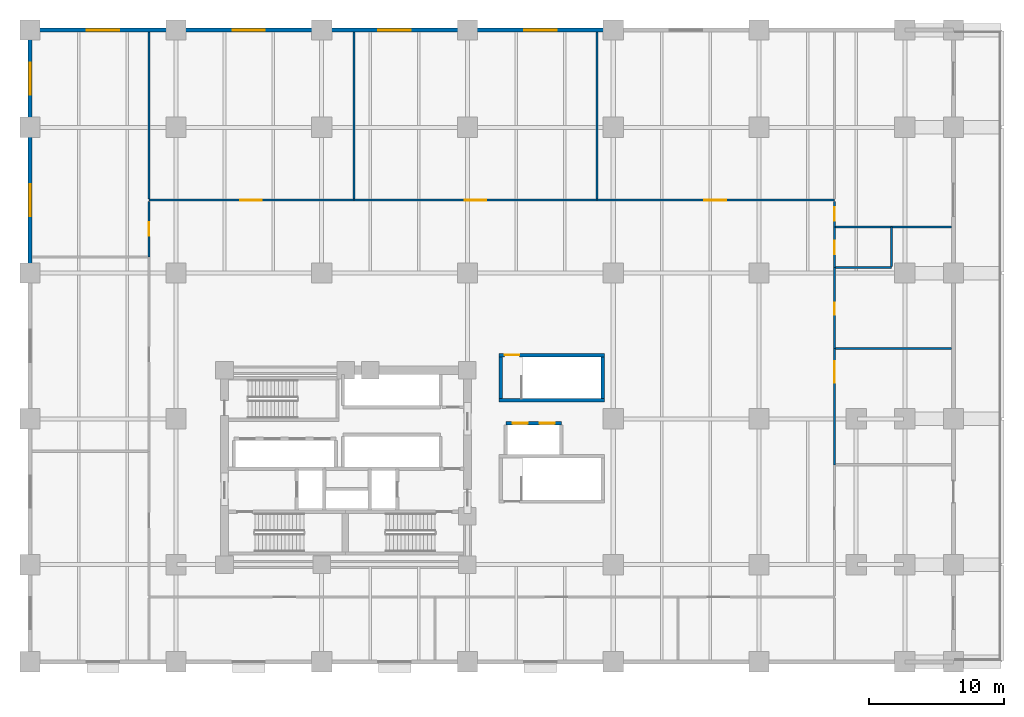
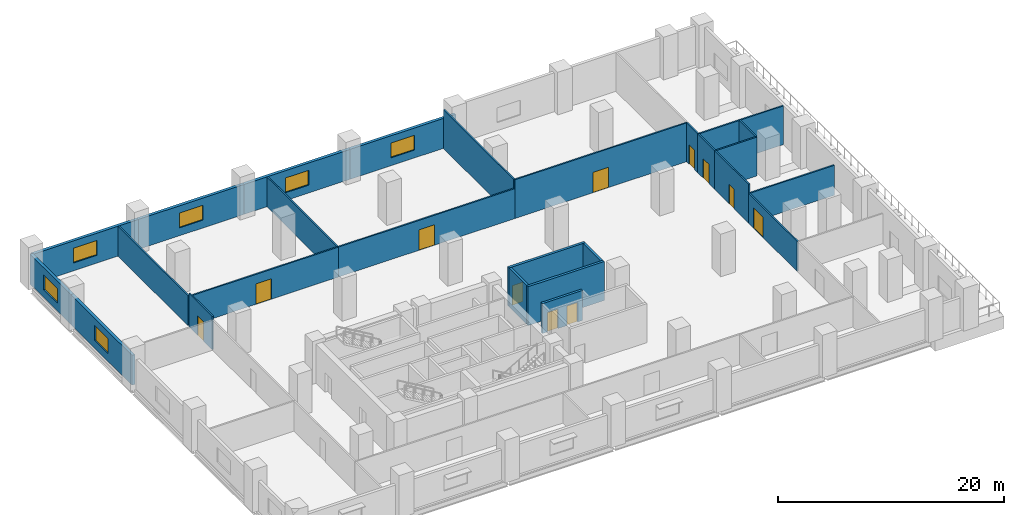
# One storey, part 5 of 8: 26 walls, 11 doors, 6 windows, 17 openings.
"""IFC4 building model written with IfcOpenShell, lengths in metres."""

import ifcopenshell
import ifcopenshell.guid

model = None  # the IFC model being written
_history = None  # IfcOwnerHistory: only IFC2X3 demands one
_inside = {}  # id of a spatial element -> (the spatial element, [elements in it])
_under = {}  # id of a project, library or spatial element -> (it, [spatial elements below it])
_declared = {}  # id of a project -> (the project, [libraries it declares])
_typed = {}  # id of a type object -> (the type object, [elements of that type])
_made_of = {}  # id of a material, layer set ... -> (it, [elements and type objects made of it])


def new_model(schema):
    """Start an empty IFC model of exactly this schema.

    Asked for "IFC4X3", IfcOpenShell would pick the latest addendum, in which some entities
    have other attributes; the version numbers below select the first issue.
    IFC2X3 requires an IfcOwnerHistory on every rooted entity: one is made here for all.
    """
    global model, _history
    if schema == "IFC4X3":
        model = ifcopenshell.file(schema_version=(4, 3, 0, 0))
    else:
        model = ifcopenshell.file(schema=schema)
    _inside.clear()
    _under.clear()
    _declared.clear()
    _typed.clear()
    _made_of.clear()
    _history = None
    if model.schema == "IFC2X3":
        org = make("IfcOrganization", Name="unknown")
        user = make(
            "IfcPersonAndOrganization",
            ThePerson=make("IfcPerson", FamilyName="unknown"),
            TheOrganization=org,
        )
        app = make(
            "IfcApplication",
            ApplicationDeveloper=org,
            Version="unknown",
            ApplicationFullName="unknown",
            ApplicationIdentifier="unknown",
        )
        _history = make(
            "IfcOwnerHistory",
            OwningUser=user,
            OwningApplication=app,
            ChangeAction="ADDED",
            CreationDate=0,
        )
    return model


def make(cls, **values):
    """One entity of the class cls with the attributes given. An attribute that is None is left unset."""
    return model.create_entity(
        cls, **{name: value for name, value in values.items() if value is not None}
    )


def rooted(cls, **values):
    """An entity with a GlobalId (a new one), such as an element, a storey or a relation."""
    return make(cls, GlobalId=ifcopenshell.guid.new(), OwnerHistory=_history, **values)


def si_unit(unit_type, name, prefix=None):
    """IfcSIUnit, for example si_unit("LENGTHUNIT", "METRE", prefix="MILLI")."""
    return make("IfcSIUnit", UnitType=unit_type, Prefix=prefix, Name=name)


def assignment(units):
    """IfcUnitAssignment: the units of a project."""
    return None if units is None else make("IfcUnitAssignment", Units=units)


def point(xyz):
    """IfcCartesianPoint."""
    return None if xyz is None else make("IfcCartesianPoint", Coordinates=xyz)


def direction(xyz):
    """IfcDirection."""
    return None if xyz is None else make("IfcDirection", DirectionRatios=xyz)


def frame(location, z_axis=None, x_axis=None):
    """IfcAxis2Placement3D, a coordinate frame: its origin and axes. An axis left out is left unset."""
    return make(
        "IfcAxis2Placement3D",
        Location=point(location),
        Axis=direction(z_axis),
        RefDirection=direction(x_axis),
    )


def frame_2d(location, x_axis=None):
    """IfcAxis2Placement2D, a coordinate frame in the plane: its origin and x axis."""
    return make(
        "IfcAxis2Placement2D", Location=point(location), RefDirection=direction(x_axis)
    )


def origin():
    """The frame at (0, 0, 0) with its axes left unset."""
    return frame((0.0, 0.0, 0.0))


def place(relative_to, where):
    """IfcLocalPlacement: puts the frame where relative to a parent placement (None: the world)."""
    return make(
        "IfcLocalPlacement", PlacementRelTo=relative_to, RelativePlacement=where
    )


def context(
    kind, dimensions, precision=None, world=None, true_north=None, identifier=None
):
    """IfcGeometricRepresentationContext, for example the 3D "Model" context."""
    return make(
        "IfcGeometricRepresentationContext",
        ContextIdentifier=identifier,
        ContextType=kind,
        CoordinateSpaceDimension=dimensions,
        Precision=precision,
        WorldCoordinateSystem=world,
        TrueNorth=true_north,
    )


def subcontext(parent, identifier, kind, view, scale=None):
    """IfcGeometricRepresentationSubContext, for example "Body" below "Model"."""
    return make(
        "IfcGeometricRepresentationSubContext",
        ContextIdentifier=identifier,
        ContextType=kind,
        ParentContext=parent,
        TargetScale=scale,
        TargetView=view,
    )


def project(units=None, contexts=None):
    """IfcProject with its units and contexts."""
    return rooted(
        "IfcProject",
        Name="project",
        RepresentationContexts=contexts,
        UnitsInContext=assignment(units),
    )


def spatial(cls, under=None, at=None, **own):
    """A site, building, storey or space (cls), placed at a placement, below another one or the project."""
    s = rooted(cls, ObjectPlacement=at, **own)
    if under is not None:
        _under.setdefault(under.id(), (under, []))[1].append(s)
    return s


def profile(cls, at=None, kind="AREA", **sizes):
    """A parametric profile (cls). Its sizes go by their IFC names, for example OverallWidth=200.0."""
    return make(cls, ProfileType=kind, Position=at, **sizes)


def rectangle(**sizes):
    """IfcRectangleProfileDef."""
    return profile("IfcRectangleProfileDef", **sizes)


def extrude(swept, where, along, depth):
    """IfcExtrudedAreaSolid: the profile swept, set in the frame where, extruded along a direction by depth."""
    return make(
        "IfcExtrudedAreaSolid",
        SweptArea=swept,
        Position=where,
        ExtrudedDirection=direction(along),
        Depth=depth,
    )


def shape(context_of_items, identifier, shape_type, items):
    """IfcShapeRepresentation: the items that make up one representation, for example the "Body"."""
    return make(
        "IfcShapeRepresentation",
        ContextOfItems=context_of_items,
        RepresentationIdentifier=identifier,
        RepresentationType=shape_type,
        Items=items,
    )


def material(Name=None, Category=None):
    """IfcMaterial."""
    return make("IfcMaterial", Name=Name, Category=Category)


def layer(
    of_material, thickness, ventilated=None, Name=None, Category=None, Priority=None
):
    """IfcMaterialLayer: one layer of a wall or slab, of a material (None: an air gap)."""
    return make(
        "IfcMaterialLayer",
        Material=of_material,
        LayerThickness=thickness,
        IsVentilated=ventilated,
        Name=Name,
        Category=Category,
        Priority=Priority,
    )


def layer_set(layers, Name=None):
    """IfcMaterialLayerSet."""
    return make("IfcMaterialLayerSet", MaterialLayers=layers, LayerSetName=Name)


def made_of(thing, what):
    """Note that an element or type object is made of a material, layer set ...; save() writes the relation."""
    if what is not None:
        _made_of.setdefault(what.id(), (what, []))[1].append(thing)
    return thing


def type_object(cls, material=None, **own):
    """A type object (cls), such as IfcWallType, which elements share."""
    return made_of(rooted(cls, **own), material)


def element(
    cls,
    number,
    at=None,
    inside=None,
    cuts=None,
    type_object=None,
    material=None,
    context=None,
    identifier="Body",
    shape_type=None,
    held_by="IfcProductDefinitionShape",
    body=None,
    shapes=None,
    **own,
):
    """One element of the class cls, such as IfcWall. Its Tag is "e" and its number.

    at: its placement. inside: the storey or other place that contains it. cuts: it is an
    opening in that element (IfcRelVoidsElement). A single representation is given by context,
    identifier, shape_type and body (its items); several are given by shapes. held_by: the class
    of the entity that holds the representations. save() writes the other relations.
    """
    e = rooted(cls, Tag="e%d" % number, ObjectPlacement=at, **own)
    if body is not None:
        shapes = [shape(context, identifier, shape_type, body)]
    if shapes is not None:
        e.Representation = make(held_by, Representations=shapes)
    if inside is not None:
        _inside.setdefault(inside.id(), (inside, []))[1].append(e)
    if cuts is not None:
        rooted(
            "IfcRelVoidsElement", RelatingBuildingElement=cuts, RelatedOpeningElement=e
        )
    if type_object is not None:
        _typed.setdefault(type_object.id(), (type_object, []))[1].append(e)
    return made_of(e, material)


def fill(opening, filler):
    """IfcRelFillsElement: the door or window that sits in an opening."""
    return rooted(
        "IfcRelFillsElement",
        RelatingOpeningElement=opening,
        RelatedBuildingElement=filler,
    )


def aggregate(whole, parts):
    """IfcRelAggregates: a whole, such as a stair, and the parts it consists of."""
    return rooted("IfcRelAggregates", RelatingObject=whole, RelatedObjects=parts)


def save(model, path):
    """Write the relations noted so far, then the file.

    IfcRelAggregates (storeys below a building ...), IfcRelContainedInSpatialStructure (elements
    in a storey), IfcRelDefinesByType, IfcRelAssociatesMaterial and IfcRelDeclares: one each for
    every whole, place, type object, material and project.
    """
    for whole, parts in _under.values():
        aggregate(whole, parts)
    for where, things in _inside.values():
        rooted(
            "IfcRelContainedInSpatialStructure",
            RelatedElements=things,
            RelatingStructure=where,
        )
    for kind, things in _typed.values():
        rooted("IfcRelDefinesByType", RelatedObjects=things, RelatingType=kind)
    for what, things in _made_of.values():
        rooted("IfcRelAssociatesMaterial", RelatedObjects=things, RelatingMaterial=what)
    for by, libraries in _declared.values():
        rooted("IfcRelDeclares", RelatingContext=by, RelatedDefinitions=libraries)
    model.write(path)


model = new_model("IFC4")

# Units and contexts
model_context = context("Model", 3, precision=1e-05, world=origin(), true_north=direction((0.0, 1.0)))
body_context = subcontext(model_context, "Body", "Model", "MODEL_VIEW")
ifc_project = project(units=[si_unit("LENGTHUNIT", "METRE"), si_unit("AREAUNIT", "SQUARE_METRE"), si_unit("VOLUMEUNIT", "CUBIC_METRE"), si_unit("PLANEANGLEUNIT", "RADIAN"), si_unit("MASSUNIT", "GRAM", prefix="KILO")], contexts=[model_context])

# Site, building, storey
site_placement = place(None, origin())
site = spatial("IfcSite", under=ifc_project, at=site_placement, CompositionType="ELEMENT")
building_placement = place(site_placement, origin())
building = spatial("IfcBuilding", under=site, at=building_placement, Name="Solnavia Interchange Tower", CompositionType="ELEMENT")
storey_placement = place(building_placement, frame((0.0, 0.0, 19.39990234375)))
storey = spatial("IfcBuildingStorey", under=building, at=storey_placement, Name="L04", CompositionType="ELEMENT", Elevation=19.39990234375)

# Wall, opening, window
ifc_material_1 = material(Name="Concrete C40/50", Category="concrete")
ifc_layer_1 = layer(ifc_material_1, 0.300048828125)
ifc_layer_set_1 = layer_set([ifc_layer_1], Name="Concrete C40/50")
wall_type_1 = type_object("IfcWallType", Name="Wall-ExtSpandrel-300", PredefinedType="STANDARD", material=ifc_layer_set_1)
wall_1_placement = place(storey_placement, frame((0.0, 50.39990234375, 0.0), z_axis=(0.0, 0.0, 1.0), x_axis=(1.0, 0.0, 0.0)))
wall_1 = element("IfcWall", 1, at=wall_1_placement, inside=storey, type_object=wall_type_1, Name="EXW-L04-N01 North podium wall", PredefinedType="STANDARD", context=body_context, shape_type="SweptSolid", body=[
    extrude(rectangle(XDim=10.800048828125, YDim=0.300048828125, at=frame_2d((5.39990234375, 0.0))), origin(), (0.0, 0.0, 1.0), 3.22998046875),
])
opening_1_placement = place(wall_1_placement, frame((4.199951171875, 0.0, 0.85009765625)))
opening_1 = element("IfcOpeningElement", 2, at=opening_1_placement, cuts=wall_1, Name="Opening WIN-06", PredefinedType="OPENING", context=body_context, shape_type="SweptSolid", body=[
    extrude(rectangle(XDim=2.39990234375, YDim=1.60009765625, at=frame_2d((1.199951171875, 0.800048828125))), frame((0.0, 0.16015625, 0.0), z_axis=(0.0, -1.0, 0.0), x_axis=(1.0, 0.0, 0.0)), (0.0, 0.0, 1.0), 0.320068359375),
])
ifc_material_2 = material(Name="Thermal-Break Aluminium & Low-E Glass", Category="aluminium")
window_type = type_object("IfcWindowType", Name="Window-Podium-2400x1600", PartitioningType="SINGLE_PANEL", PredefinedType="WINDOW", material=ifc_material_2)
window_1_placement = place(opening_1_placement, origin())
window_1 = element("IfcWindow", 3, at=window_1_placement, inside=storey, type_object=window_type, Name="WIN-L04-N01 North podium window", OverallHeight=1.60009765625, OverallWidth=2.39990234375, PartitioningType="SINGLE_PANEL", PredefinedType="WINDOW", context=body_context, shape_type="SweptSolid", body=[
    extrude(rectangle(XDim=2.39990234375, YDim=1.60009765625, at=frame_2d((1.199951171875, 0.800048828125))), frame((0.0, 0.030029296875, 0.0), z_axis=(0.0, -1.0, 0.0), x_axis=(1.0, 0.0, 0.0)), (0.0, 0.0, 1.0), 0.06005859375),
])
fill(opening_1, window_1)

wall_2_placement = place(storey_placement, frame((10.800048828125, 50.39990234375, 0.0), z_axis=(0.0, 0.0, 1.0), x_axis=(1.0, 0.0, 0.0)))
wall_2 = element("IfcWall", 4, at=wall_2_placement, inside=storey, type_object=wall_type_1, Name="EXW-L04-N02 North podium wall", PredefinedType="STANDARD", context=body_context, shape_type="SweptSolid", body=[
    extrude(rectangle(XDim=10.800048828125, YDim=0.300048828125, at=frame_2d((5.39990234375, 0.0))), origin(), (0.0, 0.0, 1.0), 3.22998046875),
])
opening_2_placement = place(wall_2_placement, frame((4.199951171875, 0.0, 0.85009765625)))
opening_2 = element("IfcOpeningElement", 5, at=opening_2_placement, cuts=wall_2, Name="Opening WIN-06", PredefinedType="OPENING", context=body_context, shape_type="SweptSolid", body=[
    extrude(rectangle(XDim=2.39990234375, YDim=1.60009765625, at=frame_2d((1.199951171875, 0.800048828125))), frame((0.0, 0.16015625, 0.0), z_axis=(0.0, -1.0, 0.0), x_axis=(1.0, 0.0, 0.0)), (0.0, 0.0, 1.0), 0.320068359375),
])
window_2_placement = place(opening_2_placement, origin())
window_2 = element("IfcWindow", 6, at=window_2_placement, inside=storey, type_object=window_type, Name="WIN-L04-N02 North podium window", OverallHeight=1.60009765625, OverallWidth=2.39990234375, PartitioningType="SINGLE_PANEL", PredefinedType="WINDOW", context=body_context, shape_type="SweptSolid", body=[
    extrude(rectangle(XDim=2.39990234375, YDim=1.60009765625, at=frame_2d((1.199951171875, 0.800048828125))), frame((0.0, 0.030029296875, 0.0), z_axis=(0.0, -1.0, 0.0), x_axis=(1.0, 0.0, 0.0)), (0.0, 0.0, 1.0), 0.06005859375),
])
fill(opening_2, window_2)

wall_3_placement = place(storey_placement, frame((21.60009765625, 50.39990234375, 0.0), z_axis=(0.0, 0.0, 1.0), x_axis=(1.0, 0.0, 0.0)))
wall_3 = element("IfcWall", 7, at=wall_3_placement, inside=storey, type_object=wall_type_1, Name="EXW-L04-N03 North podium wall", PredefinedType="STANDARD", context=body_context, shape_type="SweptSolid", body=[
    extrude(rectangle(XDim=10.7998046875, YDim=0.300048828125, at=frame_2d((5.39990234375, 0.0))), origin(), (0.0, 0.0, 1.0), 3.22998046875),
])
opening_3_placement = place(wall_3_placement, frame((4.199951171875, 0.0, 0.85009765625)))
opening_3 = element("IfcOpeningElement", 8, at=opening_3_placement, cuts=wall_3, Name="Opening WIN-06", PredefinedType="OPENING", context=body_context, shape_type="SweptSolid", body=[
    extrude(rectangle(XDim=2.39990234375, YDim=1.60009765625, at=frame_2d((1.199951171875, 0.800048828125))), frame((0.0, 0.16015625, 0.0), z_axis=(0.0, -1.0, 0.0), x_axis=(1.0, 0.0, 0.0)), (0.0, 0.0, 1.0), 0.320068359375),
])
window_3_placement = place(opening_3_placement, origin())
window_3 = element("IfcWindow", 9, at=window_3_placement, inside=storey, type_object=window_type, Name="WIN-L04-N03 North podium window", OverallHeight=1.60009765625, OverallWidth=2.39990234375, PartitioningType="SINGLE_PANEL", PredefinedType="WINDOW", context=body_context, shape_type="SweptSolid", body=[
    extrude(rectangle(XDim=2.39990234375, YDim=1.60009765625, at=frame_2d((1.199951171875, 0.800048828125))), frame((0.0, 0.030029296875, 0.0), z_axis=(0.0, -1.0, 0.0), x_axis=(1.0, 0.0, 0.0)), (0.0, 0.0, 1.0), 0.06005859375),
])
fill(opening_3, window_3)

wall_4_placement = place(storey_placement, frame((32.39990234375, 50.39990234375, 0.0), z_axis=(0.0, 0.0, 1.0), x_axis=(1.0, 0.0, 0.0)))
wall_4 = element("IfcWall", 10, at=wall_4_placement, inside=storey, type_object=wall_type_1, Name="EXW-L04-N04 North podium wall", PredefinedType="STANDARD", context=body_context, shape_type="SweptSolid", body=[
    extrude(rectangle(XDim=10.800048828125, YDim=0.300048828125, at=frame_2d((5.39990234375, 0.0))), origin(), (0.0, 0.0, 1.0), 3.22998046875),
])
opening_4_placement = place(wall_4_placement, frame((4.199951171875, 0.0, 0.85009765625)))
opening_4 = element("IfcOpeningElement", 11, at=opening_4_placement, cuts=wall_4, Name="Opening WIN-06", PredefinedType="OPENING", context=body_context, shape_type="SweptSolid", body=[
    extrude(rectangle(XDim=2.39990234375, YDim=1.60009765625, at=frame_2d((1.199951171875, 0.800048828125))), frame((0.0, 0.16015625, 0.0), z_axis=(0.0, -1.0, 0.0), x_axis=(1.0, 0.0, 0.0)), (0.0, 0.0, 1.0), 0.320068359375),
])
window_4_placement = place(opening_4_placement, origin())
window_4 = element("IfcWindow", 12, at=window_4_placement, inside=storey, type_object=window_type, Name="WIN-L04-N04 North podium window", OverallHeight=1.60009765625, OverallWidth=2.39990234375, PartitioningType="SINGLE_PANEL", PredefinedType="WINDOW", context=body_context, shape_type="SweptSolid", body=[
    extrude(rectangle(XDim=2.39990234375, YDim=1.60009765625, at=frame_2d((1.199951171875, 0.800048828125))), frame((0.0, 0.030029296875, 0.0), z_axis=(0.0, -1.0, 0.0), x_axis=(1.0, 0.0, 0.0)), (0.0, 0.0, 1.0), 0.06005859375),
])
fill(opening_4, window_4)

wall_5_placement = place(storey_placement, frame((0.0, 32.39990234375, 0.0), z_axis=(0.0, 0.0, 1.0), x_axis=(0.0, 1.0, 0.0)))
wall_5 = element("IfcWall", 13, at=wall_5_placement, inside=storey, type_object=wall_type_1, Name="EXW-L04-W04 West podium wall", PredefinedType="STANDARD", context=body_context, shape_type="SweptSolid", body=[
    extrude(rectangle(XDim=10.800048828125, YDim=0.300048828125, at=frame_2d((5.39990234375, 0.0))), origin(), (0.0, 0.0, 1.0), 3.22998046875),
])
opening_5_placement = place(wall_5_placement, frame((4.199951171875, 0.0, 0.85009765625)))
opening_5 = element("IfcOpeningElement", 14, at=opening_5_placement, cuts=wall_5, Name="Opening WIN-06", PredefinedType="OPENING", context=body_context, shape_type="SweptSolid", body=[
    extrude(rectangle(XDim=2.39990234375, YDim=1.60009765625, at=frame_2d((1.199951171875, 0.800048828125))), frame((0.0, 0.16015625, 0.0), z_axis=(0.0, -1.0, 0.0), x_axis=(1.0, 0.0, 0.0)), (0.0, 0.0, 1.0), 0.320068359375),
])
window_5_placement = place(opening_5_placement, origin())
window_5 = element("IfcWindow", 15, at=window_5_placement, inside=storey, type_object=window_type, Name="WIN-L04-W04 West podium window", OverallHeight=1.60009765625, OverallWidth=2.39990234375, PartitioningType="SINGLE_PANEL", PredefinedType="WINDOW", context=body_context, shape_type="SweptSolid", body=[
    extrude(rectangle(XDim=2.39990234375, YDim=1.60009765625, at=frame_2d((1.199951171875, 0.800048828125))), frame((0.0, 0.030029296875, 0.0), z_axis=(0.0, -1.0, 0.0), x_axis=(1.0, 0.0, 0.0)), (0.0, 0.0, 1.0), 0.06005859375),
])
fill(opening_5, window_5)

wall_6_placement = place(storey_placement, frame((0.0, 43.199951171875, 0.0), z_axis=(0.0, 0.0, 1.0), x_axis=(0.0, 1.0, 0.0)))
wall_6 = element("IfcWall", 16, at=wall_6_placement, inside=storey, type_object=wall_type_1, Name="EXW-L04-W05 West podium wall", PredefinedType="STANDARD", context=body_context, shape_type="SweptSolid", body=[
    extrude(rectangle(XDim=7.199951171875, YDim=0.300048828125, at=frame_2d((3.60009765625, 0.0))), origin(), (0.0, 0.0, 1.0), 3.22998046875),
])
opening_6_placement = place(wall_6_placement, frame((2.39990234375, 0.0, 0.85009765625)))
opening_6 = element("IfcOpeningElement", 17, at=opening_6_placement, cuts=wall_6, Name="Opening WIN-06", PredefinedType="OPENING", context=body_context, shape_type="SweptSolid", body=[
    extrude(rectangle(XDim=2.39990234375, YDim=1.60009765625, at=frame_2d((1.199951171875, 0.800048828125))), frame((0.0, 0.16015625, 0.0), z_axis=(0.0, -1.0, 0.0), x_axis=(1.0, 0.0, 0.0)), (0.0, 0.0, 1.0), 0.320068359375),
])
window_6_placement = place(opening_6_placement, origin())
window_6 = element("IfcWindow", 18, at=window_6_placement, inside=storey, type_object=window_type, Name="WIN-L04-W05 West podium window", OverallHeight=1.60009765625, OverallWidth=2.39990234375, PartitioningType="SINGLE_PANEL", PredefinedType="WINDOW", context=body_context, shape_type="SweptSolid", body=[
    extrude(rectangle(XDim=2.39990234375, YDim=1.60009765625, at=frame_2d((1.199951171875, 0.800048828125))), frame((0.0, 0.030029296875, 0.0), z_axis=(0.0, -1.0, 0.0), x_axis=(1.0, 0.0, 0.0)), (0.0, 0.0, 1.0), 0.06005859375),
])
fill(opening_6, window_6)

# Wall, opening, door
ifc_material_3 = material(Name="Gypsum Plasterboard & Steel Stud", Category="steel")
ifc_layer_2 = layer(ifc_material_3, 0.14990234375)
ifc_layer_set_2 = layer_set([ifc_layer_2], Name="Gypsum Plasterboard & Steel Stud")
wall_type_2 = type_object("IfcWallType", Name="Wall-Partition-150", PredefinedType="PARTITIONING", material=ifc_layer_set_2)
wall_7_placement = place(storey_placement, frame((8.800048828125, 37.800048828125, 0.0), z_axis=(0.0, 0.0, 1.0), x_axis=(1.0, 0.0, 0.0)))
wall_7 = element("IfcWall", 19, at=wall_7_placement, inside=storey, type_object=wall_type_2, Name="PTW-L04-06 Interior partition wall", PredefinedType="PARTITIONING", context=body_context, shape_type="SweptSolid", body=[
    extrude(rectangle(XDim=15.199951171875, YDim=0.14990234375, at=frame_2d((7.60009765625, 0.0))), origin(), (0.0, 0.0, 1.0), 3.22998046875),
])
opening_7_placement = place(wall_7_placement, frame((6.760009765625, 0.0, 0.0)))
opening_7 = element("IfcOpeningElement", 20, at=opening_7_placement, cuts=wall_7, Name="Opening DR-08", PredefinedType="OPENING", context=body_context, shape_type="SweptSolid", body=[
    extrude(rectangle(XDim=1.60009765625, YDim=2.199951171875, at=frame_2d((0.800048828125, 1.10009765625))), frame((0.0, 0.0849609375, 0.0), z_axis=(0.0, -1.0, 0.0), x_axis=(1.0, 0.0, 0.0)), (0.0, 0.0, 1.0), 0.169921875),
])
ifc_material_4 = material(Name="Thermally Broken Aluminium & Toughened Glass", Category="aluminium")
door_type_1 = type_object("IfcDoorType", Name="Door-RetailDouble-1600x2200", OperationType="DOUBLE_DOOR_SINGLE_SWING", PredefinedType="DOOR", material=ifc_material_4)
door_1_placement = place(opening_7_placement, origin())
door_1 = element("IfcDoor", 21, at=door_1_placement, inside=storey, type_object=door_type_1, Name="DR-L04-04 Interior room door", OperationType="DOUBLE_DOOR_SINGLE_SWING", OverallHeight=2.199951171875, OverallWidth=1.60009765625, PredefinedType="DOOR", context=body_context, shape_type="SweptSolid", body=[
    extrude(rectangle(XDim=1.60009765625, YDim=2.199951171875, at=frame_2d((0.800048828125, 1.10009765625))), frame((0.0, 0.02490234375, 0.0), z_axis=(0.0, -1.0, 0.0), x_axis=(1.0, 0.0, 0.0)), (0.0, 0.0, 1.0), 0.050048828125),
])
fill(opening_7, door_1)

# Wall
wall_8_placement = place(storey_placement, frame((24.0, 37.87890625, 0.0), z_axis=(0.0, 0.0, 1.0), x_axis=(0.0, 1.0, 0.0)))
element("IfcWall", 22, at=wall_8_placement, inside=storey, type_object=wall_type_2, Name="PTW-L04-07 Interior partition wall", PredefinedType="PARTITIONING", context=body_context, shape_type="SweptSolid", body=[
    extrude(rectangle(XDim=12.3671875, YDim=0.14990234375, at=frame_2d((6.18359375, 0.0))), origin(), (0.0, 0.0, 1.0), 3.22998046875),
])

# Wall, opening, door
wall_9_placement = place(storey_placement, frame((24.0, 37.800048828125, 0.0), z_axis=(0.0, 0.0, 1.0), x_axis=(1.0, 0.0, 0.0)))
wall_9 = element("IfcWall", 23, at=wall_9_placement, inside=storey, type_object=wall_type_2, Name="PTW-L04-08 Interior partition wall", PredefinedType="PARTITIONING", context=body_context, shape_type="SweptSolid", body=[
    extrude(rectangle(XDim=18.0, YDim=0.14990234375, at=frame_2d((9.0, 0.0))), origin(), (0.0, 0.0, 1.0), 3.22998046875),
])
opening_8_placement = place(wall_9_placement, frame((8.199951171875, 0.0, 0.0)))
opening_8 = element("IfcOpeningElement", 24, at=opening_8_placement, cuts=wall_9, Name="Opening DR-08", PredefinedType="OPENING", context=body_context, shape_type="SweptSolid", body=[
    extrude(rectangle(XDim=1.60009765625, YDim=2.199951171875, at=frame_2d((0.800048828125, 1.10009765625))), frame((0.0, 0.0849609375, 0.0), z_axis=(0.0, -1.0, 0.0), x_axis=(1.0, 0.0, 0.0)), (0.0, 0.0, 1.0), 0.169921875),
])
door_2_placement = place(opening_8_placement, origin())
door_2 = element("IfcDoor", 25, at=door_2_placement, inside=storey, type_object=door_type_1, Name="DR-L04-05 Interior room door", OperationType="DOUBLE_DOOR_SINGLE_SWING", OverallHeight=2.199951171875, OverallWidth=1.60009765625, PredefinedType="DOOR", context=body_context, shape_type="SweptSolid", body=[
    extrude(rectangle(XDim=1.60009765625, YDim=2.199951171875, at=frame_2d((0.800048828125, 1.10009765625))), frame((0.0, 0.02490234375, 0.0), z_axis=(0.0, -1.0, 0.0), x_axis=(1.0, 0.0, 0.0)), (0.0, 0.0, 1.0), 0.050048828125),
])
fill(opening_8, door_2)

# Wall
wall_10_placement = place(storey_placement, frame((42.0, 37.87890625, 0.0), z_axis=(0.0, 0.0, 1.0), x_axis=(0.0, 1.0, 0.0)))
element("IfcWall", 26, at=wall_10_placement, inside=storey, type_object=wall_type_2, Name="PTW-L04-09 Interior partition wall", PredefinedType="PARTITIONING", context=body_context, shape_type="SweptSolid", body=[
    extrude(rectangle(XDim=12.3671875, YDim=0.14990234375, at=frame_2d((6.18359375, 0.0))), origin(), (0.0, 0.0, 1.0), 4.18505859375),
])

# Wall, opening, door
wall_11_placement = place(storey_placement, frame((42.0, 37.800048828125, 0.0), z_axis=(0.0, 0.0, 1.0), x_axis=(1.0, 0.0, 0.0)))
wall_11 = element("IfcWall", 27, at=wall_11_placement, inside=storey, type_object=wall_type_2, Name="PTW-L04-10 Interior partition wall", PredefinedType="PARTITIONING", context=body_context, shape_type="SweptSolid", body=[
    extrude(rectangle(XDim=17.60009765625, YDim=0.14990234375, at=frame_2d((8.800048828125, 0.0))), origin(), (0.0, 0.0, 1.0), 4.18505859375),
])
opening_9_placement = place(wall_11_placement, frame((7.9599609375, 0.0, 0.0)))
opening_9 = element("IfcOpeningElement", 28, at=opening_9_placement, cuts=wall_11, Name="Opening DR-08", PredefinedType="OPENING", context=body_context, shape_type="SweptSolid", body=[
    extrude(rectangle(XDim=1.60009765625, YDim=2.199951171875, at=frame_2d((0.800048828125, 1.10009765625))), frame((0.0, 0.0849609375, 0.0), z_axis=(0.0, -1.0, 0.0), x_axis=(1.0, 0.0, 0.0)), (0.0, 0.0, 1.0), 0.169921875),
])
door_3_placement = place(opening_9_placement, origin())
door_3 = element("IfcDoor", 29, at=door_3_placement, inside=storey, type_object=door_type_1, Name="DR-L04-06 Interior room door", OperationType="DOUBLE_DOOR_SINGLE_SWING", OverallHeight=2.199951171875, OverallWidth=1.60009765625, PredefinedType="DOOR", context=body_context, shape_type="SweptSolid", body=[
    extrude(rectangle(XDim=1.60009765625, YDim=2.199951171875, at=frame_2d((0.800048828125, 1.10009765625))), frame((0.0, 0.02490234375, 0.0), z_axis=(0.0, -1.0, 0.0), x_axis=(1.0, 0.0, 0.0)), (0.0, 0.0, 1.0), 0.050048828125),
])
fill(opening_9, door_3)

wall_12_placement = place(storey_placement, frame((8.800048828125, 33.60009765625, 0.0), z_axis=(0.0, 0.0, 1.0), x_axis=(0.0, 1.0, 0.0)))
wall_12 = element("IfcWall", 30, at=wall_12_placement, inside=storey, type_object=wall_type_2, Name="PTW-L04-16 Interior partition wall", PredefinedType="PARTITIONING", context=body_context, shape_type="SweptSolid", body=[
    extrude(rectangle(XDim=4.120849609375, YDim=0.14990234375, at=frame_2d((2.060546875, 0.0))), origin(), (0.0, 0.0, 1.0), 3.590087890625),
])
opening_10_placement = place(wall_12_placement, frame((1.56103515625, 0.0, 0.0)))
opening_10 = element("IfcOpeningElement", 31, at=opening_10_placement, cuts=wall_12, Name="Opening DR-07", PredefinedType="OPENING", context=body_context, shape_type="SweptSolid", body=[
    extrude(rectangle(XDim=1.0, YDim=2.10009765625, at=frame_2d((0.5, 1.050048828125))), frame((0.0, 0.0849609375, 0.0), z_axis=(0.0, -1.0, 0.0), x_axis=(1.0, 0.0, 0.0)), (0.0, 0.0, 1.0), 0.169921875),
])
ifc_material_5 = material(Name="Timber & Acoustic Glazed Office Door", Category="wood")
door_type_2 = type_object("IfcDoorType", Name="Door-Office-1000x2100", OperationType="SINGLE_SWING_RIGHT", PredefinedType="DOOR", material=ifc_material_5)
door_4_placement = place(opening_10_placement, origin())
door_4 = element("IfcDoor", 32, at=door_4_placement, inside=storey, type_object=door_type_2, Name="DR-L04-09 Interior room door", OperationType="SINGLE_SWING_LEFT", OverallHeight=2.10009765625, OverallWidth=1.0, PredefinedType="DOOR", context=body_context, shape_type="SweptSolid", body=[
    extrude(rectangle(XDim=1.0, YDim=2.10009765625, at=frame_2d((0.5, 1.050048828125))), frame((0.0, 0.02490234375, 0.0), z_axis=(0.0, -1.0, 0.0), x_axis=(1.0, 0.0, 0.0)), (0.0, 0.0, 1.0), 0.050048828125),
])
fill(opening_10, door_4)

# Wall
wall_13_placement = place(storey_placement, frame((8.800048828125, 37.87890625, 0.0), z_axis=(0.0, 0.0, 1.0), x_axis=(0.0, 1.0, 0.0)))
element("IfcWall", 33, at=wall_13_placement, inside=storey, type_object=wall_type_2, Name="PTW-L04-17 Interior partition wall", PredefinedType="PARTITIONING", context=body_context, shape_type="SweptSolid", body=[
    extrude(rectangle(XDim=12.3671875, YDim=0.14990234375, at=frame_2d((6.18359375, 0.0))), origin(), (0.0, 0.0, 1.0), 3.22998046875),
])

# Wall, opening, door
wall_14_placement = place(storey_placement, frame((59.60009765625, 18.199951171875, 0.0), z_axis=(0.0, 0.0, 1.0), x_axis=(0.0, 1.0, 0.0)))
wall_14 = element("IfcWall", 34, at=wall_14_placement, inside=storey, type_object=wall_type_2, Name="PTW-L04-21 Interior partition wall", PredefinedType="PARTITIONING", context=body_context, shape_type="SweptSolid", body=[
    extrude(rectangle(XDim=8.60009765625, YDim=0.14990234375, at=frame_2d((4.300048828125, 0.0))), origin(), (0.0, 0.0, 1.0), 3.22998046875),
])
opening_11_placement = place(wall_14_placement, frame((6.06689453125, 0.0, 0.0)))
opening_11 = element("IfcOpeningElement", 35, at=opening_11_placement, cuts=wall_14, Name="Opening DR-08", PredefinedType="OPENING", context=body_context, shape_type="SweptSolid", body=[
    extrude(rectangle(XDim=1.60009765625, YDim=2.199951171875, at=frame_2d((0.800048828125, 1.10009765625))), frame((0.0, 0.0849609375, 0.0), z_axis=(0.0, -1.0, 0.0), x_axis=(1.0, 0.0, 0.0)), (0.0, 0.0, 1.0), 0.169921875),
])
door_5_placement = place(opening_11_placement, origin())
door_5 = element("IfcDoor", 36, at=door_5_placement, inside=storey, type_object=door_type_1, Name="DR-L04-11 Interior room door", OperationType="DOUBLE_DOOR_SINGLE_SWING", OverallHeight=2.199951171875, OverallWidth=1.60009765625, PredefinedType="DOOR", context=body_context, shape_type="SweptSolid", body=[
    extrude(rectangle(XDim=1.60009765625, YDim=2.199951171875, at=frame_2d((0.800048828125, 1.10009765625))), frame((0.0, 0.02490234375, 0.0), z_axis=(0.0, -1.0, 0.0), x_axis=(1.0, 0.0, 0.0)), (0.0, 0.0, 1.0), 0.050048828125),
])
fill(opening_11, door_5)

wall_15_placement = place(storey_placement, frame((59.60009765625, 35.800048828125, 0.0), z_axis=(0.0, 0.0, 1.0), x_axis=(0.0, 1.0, 0.0)))
wall_15 = element("IfcWall", 37, at=wall_15_placement, inside=storey, type_object=wall_type_2, Name="PTW-L04-28 Interior partition wall", PredefinedType="PARTITIONING", context=body_context, shape_type="SweptSolid", body=[
    extrude(rectangle(XDim=1.9208984375, YDim=0.14990234375, at=frame_2d((0.96044921875, 0.0))), origin(), (0.0, 0.0, 1.0), 4.18505859375),
])
opening_12_placement = place(wall_15_placement, frame((0.490966796875, 0.0, 0.0)))
opening_12 = element("IfcOpeningElement", 38, at=opening_12_placement, cuts=wall_15, Name="Opening DR-07", PredefinedType="OPENING", context=body_context, shape_type="SweptSolid", body=[
    extrude(rectangle(XDim=1.0, YDim=2.10009765625, at=frame_2d((0.5, 1.050048828125))), frame((0.0, 0.0849609375, 0.0), z_axis=(0.0, -1.0, 0.0), x_axis=(1.0, 0.0, 0.0)), (0.0, 0.0, 1.0), 0.169921875),
])
door_6_placement = place(opening_12_placement, origin())
door_6 = element("IfcDoor", 39, at=door_6_placement, inside=storey, type_object=door_type_2, Name="DR-L04-14 Interior room door", OperationType="SINGLE_SWING_LEFT", OverallHeight=2.10009765625, OverallWidth=1.0, PredefinedType="DOOR", context=body_context, shape_type="SweptSolid", body=[
    extrude(rectangle(XDim=1.0, YDim=2.10009765625, at=frame_2d((0.5, 1.050048828125))), frame((0.0, 0.02490234375, 0.0), z_axis=(0.0, -1.0, 0.0), x_axis=(1.0, 0.0, 0.0)), (0.0, 0.0, 1.0), 0.050048828125),
])
fill(opening_12, door_6)

# Wall
ifc_layer_3 = layer(ifc_material_1, 0.25)
ifc_layer_set_3 = layer_set([ifc_layer_3], Name="Concrete C40/50")
wall_type_3 = type_object("IfcWallType", Name="Wall-ShaftCore-250", PredefinedType="SHEAR", material=ifc_layer_set_3)
wall_16_placement = place(storey_placement, frame((34.75, 22.97509765625, 0.0), z_axis=(0.0, 0.0, 1.0), x_axis=(1.0, 0.0, 0.0)))
element("IfcWall", 40, at=wall_16_placement, inside=storey, type_object=wall_type_3, Name="SHW-L04-STP2S Core shear wall", PredefinedType="SHEAR", context=body_context, shape_type="SweptSolid", body=[
    extrude(rectangle(XDim=7.800048828125, YDim=0.25, at=frame_2d((3.89990234375, 0.0))), origin(), (0.0, 0.0, 1.0), 4.2001953125),
])

# Wall, opening, door
wall_17_placement = place(storey_placement, frame((34.75, 26.324951171875, 0.0), z_axis=(0.0, 0.0, 1.0), x_axis=(1.0, 0.0, 0.0)))
wall_17 = element("IfcWall", 41, at=wall_17_placement, inside=storey, type_object=wall_type_3, Name="SHW-L04-STP2N Core shear wall", PredefinedType="SHEAR", context=body_context, shape_type="SweptSolid", body=[
    extrude(rectangle(XDim=7.800048828125, YDim=0.25, at=frame_2d((3.89990234375, 0.0))), origin(), (0.0, 0.0, 1.0), 4.2001953125),
])
opening_13_placement = place(wall_17_placement, frame((0.405029296875, 0.0, 0.0)))
opening_13 = element("IfcOpeningElement", 42, at=opening_13_placement, cuts=wall_17, Name="Opening DR-01", PredefinedType="OPENING", context=body_context, shape_type="SweptSolid", body=[
    extrude(rectangle(XDim=1.10009765625, YDim=2.10009765625, at=frame_2d((0.550048828125, 1.050048828125))), frame((0.0, 0.135009765625, 0.0), z_axis=(0.0, -1.0, 0.0), x_axis=(1.0, 0.0, 0.0)), (0.0, 0.0, 1.0), 0.27001953125),
])
ifc_material_6 = material(Name="Steel Fire-Rated Leaf & Frame", Category="steel")
door_type_3 = type_object("IfcDoorType", Name="Door-StairFire-1100x2100", OperationType="SINGLE_SWING_LEFT", PredefinedType="DOOR", material=ifc_material_6)
door_7_placement = place(opening_13_placement, origin())
door_7 = element("IfcDoor", 43, at=door_7_placement, inside=storey, type_object=door_type_3, Name="DR-L04-STP2 Core fire door", OperationType="SINGLE_SWING_RIGHT", OverallHeight=2.10009765625, OverallWidth=1.10009765625, PredefinedType="DOOR", context=body_context, shape_type="SweptSolid", body=[
    extrude(rectangle(XDim=1.10009765625, YDim=2.10009765625, at=frame_2d((0.550048828125, 1.050048828125))), frame((0.0, 0.02490234375, 0.0), z_axis=(0.0, -1.0, 0.0), x_axis=(1.0, 0.0, 0.0)), (0.0, 0.0, 1.0), 0.050048828125),
])
fill(opening_13, door_7)

# Walls
for number, where, z_axis, x_axis, name in (
    (44, (34.875, 23.10009765625, 0.0), (0.0, 0.0, 1.0), (0.0, 1.0, 0.0), "SHW-L04-STP2W Core shear wall"),
    (45, (42.425048828125, 23.10009765625, 0.0), (0.0, 0.0, 1.0), (0.0, 1.0, 0.0), "SHW-L04-STP2E Core shear wall"),
):
    element("IfcWall", number, at=place(storey_placement, frame(where, z_axis=z_axis, x_axis=x_axis)), inside=storey, type_object=wall_type_3, Name=name, PredefinedType="SHEAR", context=body_context, shape_type="SweptSolid", body=[
        extrude(rectangle(XDim=3.099853515625, YDim=0.25, at=frame_2d((1.5498046875, 0.0))), origin(), (0.0, 0.0, 1.0), 4.2001953125),
    ])

# Wall, openings, doors
ifc_layer_4 = layer(ifc_material_1, 0.25)
ifc_layer_set_4 = layer_set([ifc_layer_4], Name="Concrete C40/50")
wall_type_4 = type_object("IfcWallType", Name="Wall-ShaftPart-250", PredefinedType="PARTITIONING", material=ifc_layer_set_4)
wall_18_placement = place(storey_placement, frame((35.25, 21.280029296875, 0.0), z_axis=(0.0, 0.0, 1.0), x_axis=(1.0, 0.0, 0.0)))
wall_18 = element("IfcWall", 46, at=wall_18_placement, inside=storey, type_object=wall_type_4, Name="SHW-L04-PLN Core shaft wall", PredefinedType="PARTITIONING", context=body_context, shape_type="SweptSolid", body=[
    extrude(rectangle(XDim=4.10009765625, YDim=0.25, at=frame_2d((2.050048828125, 0.0))), origin(), (0.0, 0.0, 1.0), 3.22998046875),
])
opening_14_placement = place(wall_18_placement, frame((0.5, 0.0, 0.0)))
opening_14 = element("IfcOpeningElement", 47, at=opening_14_placement, cuts=wall_18, Name="Opening LD-01", PredefinedType="OPENING", context=body_context, shape_type="SweptSolid", body=[
    extrude(rectangle(XDim=1.10009765625, YDim=2.10009765625, at=frame_2d((0.550048828125, 1.050048828125))), frame((0.0, 0.135009765625, 0.0), z_axis=(0.0, -1.0, 0.0), x_axis=(1.0, 0.0, 0.0)), (0.0, 0.0, 1.0), 0.27001953125),
])
opening_15_placement = place(wall_18_placement, frame((2.5, 0.0, 0.0)))
opening_15 = element("IfcOpeningElement", 48, at=opening_15_placement, cuts=wall_18, Name="Opening LD-01", PredefinedType="OPENING", context=body_context, shape_type="SweptSolid", body=[
    extrude(rectangle(XDim=1.10009765625, YDim=2.10009765625, at=frame_2d((0.550048828125, 1.050048828125))), frame((0.0, 0.135009765625, 0.0), z_axis=(0.0, -1.0, 0.0), x_axis=(1.0, 0.0, 0.0)), (0.0, 0.0, 1.0), 0.27001953125),
])
ifc_material_7 = material(Name="Brushed Stainless Steel Sliding Door", Category="steel")
door_type_4 = type_object("IfcDoorType", Name="Door-LiftLanding-1100x2100", OperationType="SLIDING_TO_LEFT", PredefinedType="DOOR", material=ifc_material_7)
door_8_placement = place(opening_14_placement, origin())
door_8 = element("IfcDoor", 49, at=door_8_placement, inside=storey, type_object=door_type_4, Name="LD-L04-PL-1 Lift landing sliding door", OperationType="SLIDING_TO_LEFT", OverallHeight=2.10009765625, OverallWidth=1.10009765625, PredefinedType="DOOR", context=body_context, shape_type="SweptSolid", body=[
    extrude(rectangle(XDim=1.10009765625, YDim=2.10009765625, at=frame_2d((0.550048828125, 1.050048828125))), frame((0.0, 0.02490234375, 0.0), z_axis=(0.0, -1.0, 0.0), x_axis=(1.0, 0.0, 0.0)), (0.0, 0.0, 1.0), 0.050048828125),
])
fill(opening_14, door_8)
door_9_placement = place(opening_15_placement, origin())
door_9 = element("IfcDoor", 50, at=door_9_placement, inside=storey, type_object=door_type_4, Name="LD-L04-PL-2 Lift landing sliding door", OperationType="SLIDING_TO_LEFT", OverallHeight=2.10009765625, OverallWidth=1.10009765625, PredefinedType="DOOR", context=body_context, shape_type="SweptSolid", body=[
    extrude(rectangle(XDim=1.10009765625, YDim=2.10009765625, at=frame_2d((0.550048828125, 1.050048828125))), frame((0.0, 0.02490234375, 0.0), z_axis=(0.0, -1.0, 0.0), x_axis=(1.0, 0.0, 0.0)), (0.0, 0.0, 1.0), 0.050048828125),
])
fill(opening_15, door_9)

# Wall
ifc_material_8 = material(Name="Moisture-Resistant Gypsum & Steel Stud", Category="steel")
ifc_layer_5 = layer(ifc_material_8, 0.14990234375)
ifc_layer_set_5 = layer_set([ifc_layer_5], Name="Moisture-Resistant Gypsum & Steel Stud")
wall_type_5 = type_object("IfcWallType", Name="Wall-WetRoom-150", PredefinedType="PARTITIONING", material=ifc_layer_set_5)
wall_19_placement = place(storey_placement, frame((59.678955078125, 26.800048828125, 0.0), z_axis=(0.0, 0.0, 1.0), x_axis=(1.0, 0.0, 0.0)))
element("IfcWall", 51, at=wall_19_placement, inside=storey, type_object=wall_type_5, Name="PTW-L04-22 Interior partition wall", PredefinedType="PARTITIONING", context=body_context, shape_type="SweptSolid", body=[
    extrude(rectangle(XDim=8.567138671875, YDim=0.14990234375, at=frame_2d((4.28369140625, 0.0))), origin(), (0.0, 0.0, 1.0), 3.22998046875),
])

# Wall, opening, door
wall_20_placement = place(storey_placement, frame((59.60009765625, 26.800048828125, 0.0), z_axis=(0.0, 0.0, 1.0), x_axis=(0.0, 1.0, 0.0)))
wall_20 = element("IfcWall", 52, at=wall_20_placement, inside=storey, type_object=wall_type_5, Name="PTW-L04-23 Interior partition wall", PredefinedType="PARTITIONING", context=body_context, shape_type="SweptSolid", body=[
    extrude(rectangle(XDim=6.0, YDim=0.14990234375, at=frame_2d((3.0, 0.0))), origin(), (0.0, 0.0, 1.0), 4.18505859375),
])
opening_16_placement = place(wall_20_placement, frame((2.510986328125, 0.0, 0.0)))
opening_16 = element("IfcOpeningElement", 53, at=opening_16_placement, cuts=wall_20, Name="Opening DR-09", PredefinedType="OPENING", context=body_context, shape_type="SweptSolid", body=[
    extrude(rectangle(XDim=0.89990234375, YDim=2.10009765625, at=frame_2d((0.449951171875, 1.050048828125))), frame((0.0, 0.0849609375, 0.0), z_axis=(0.0, -1.0, 0.0), x_axis=(1.0, 0.0, 0.0)), (0.0, 0.0, 1.0), 0.169921875),
])
ifc_material_9 = material(Name="Engineered Oak Veneer Door", Category="wood")
door_type_5 = type_object("IfcDoorType", Name="Door-Internal-900x2100", OperationType="SINGLE_SWING_LEFT", PredefinedType="DOOR", material=ifc_material_9)
door_10_placement = place(opening_16_placement, origin())
door_10 = element("IfcDoor", 54, at=door_10_placement, inside=storey, type_object=door_type_5, Name="DR-L04-12 Interior room door", OperationType="SINGLE_SWING_RIGHT", OverallHeight=2.10009765625, OverallWidth=0.89990234375, PredefinedType="DOOR", context=body_context, shape_type="SweptSolid", body=[
    extrude(rectangle(XDim=0.89990234375, YDim=2.10009765625, at=frame_2d((0.449951171875, 1.050048828125))), frame((0.0, 0.02490234375, 0.0), z_axis=(0.0, -1.0, 0.0), x_axis=(1.0, 0.0, 0.0)), (0.0, 0.0, 1.0), 0.050048828125),
])
fill(opening_16, door_10)

# Walls
wall_21_placement = place(storey_placement, frame((59.678955078125, 32.800048828125, 0.0), z_axis=(0.0, 0.0, 1.0), x_axis=(1.0, 0.0, 0.0)))
element("IfcWall", 55, at=wall_21_placement, inside=storey, type_object=wall_type_5, Name="PTW-L04-24 Interior partition wall", PredefinedType="PARTITIONING", context=body_context, shape_type="SweptSolid", body=[
    extrude(rectangle(XDim=4.12109375, YDim=0.14990234375, at=frame_2d((2.060546875, 0.0))), origin(), (0.0, 0.0, 1.0), 4.18505859375),
])
wall_22_placement = place(storey_placement, frame((63.800048828125, 32.87890625, 0.0), z_axis=(0.0, 0.0, 1.0), x_axis=(0.0, 1.0, 0.0)))
element("IfcWall", 56, at=wall_22_placement, inside=storey, type_object=wall_type_5, Name="PTW-L04-25 Interior partition wall", PredefinedType="PARTITIONING", context=body_context, shape_type="SweptSolid", body=[
    extrude(rectangle(XDim=2.921142578125, YDim=0.14990234375, at=frame_2d((1.46044921875, 0.0))), origin(), (0.0, 0.0, 1.0), 4.18505859375),
])

# Wall, opening, door
wall_23_placement = place(storey_placement, frame((59.60009765625, 32.800048828125, 0.0), z_axis=(0.0, 0.0, 1.0), x_axis=(0.0, 1.0, 0.0)))
wall_23 = element("IfcWall", 57, at=wall_23_placement, inside=storey, type_object=wall_type_5, Name="PTW-L04-26 Interior partition wall", PredefinedType="PARTITIONING", context=body_context, shape_type="SweptSolid", body=[
    extrude(rectangle(XDim=3.0, YDim=0.14990234375, at=frame_2d((1.5, 0.0))), origin(), (0.0, 0.0, 1.0), 4.18505859375),
])
opening_17_placement = place(wall_23_placement, frame((1.0, 0.0, 0.0)))
opening_17 = element("IfcOpeningElement", 58, at=opening_17_placement, cuts=wall_23, Name="Opening DR-07", PredefinedType="OPENING", context=body_context, shape_type="SweptSolid", body=[
    extrude(rectangle(XDim=1.0, YDim=2.10009765625, at=frame_2d((0.5, 1.050048828125))), frame((0.0, 0.0849609375, 0.0), z_axis=(0.0, -1.0, 0.0), x_axis=(1.0, 0.0, 0.0)), (0.0, 0.0, 1.0), 0.169921875),
])
door_11_placement = place(opening_17_placement, origin())
door_11 = element("IfcDoor", 59, at=door_11_placement, inside=storey, type_object=door_type_2, Name="DR-L04-13 Interior room door", OperationType="SINGLE_SWING_RIGHT", OverallHeight=2.10009765625, OverallWidth=1.0, PredefinedType="DOOR", context=body_context, shape_type="SweptSolid", body=[
    extrude(rectangle(XDim=1.0, YDim=2.10009765625, at=frame_2d((0.5, 1.050048828125))), frame((0.0, 0.02490234375, 0.0), z_axis=(0.0, -1.0, 0.0), x_axis=(1.0, 0.0, 0.0)), (0.0, 0.0, 1.0), 0.050048828125),
])
fill(opening_17, door_11)

# Wall
wall_24_placement = place(storey_placement, frame((59.678955078125, 35.800048828125, 0.0), z_axis=(0.0, 0.0, 1.0), x_axis=(1.0, 0.0, 0.0)))
element("IfcWall", 60, at=wall_24_placement, inside=storey, type_object=wall_type_5, Name="PTW-L04-27 Interior partition wall", PredefinedType="PARTITIONING", context=body_context, shape_type="SweptSolid", body=[
    extrude(rectangle(XDim=8.567138671875, YDim=0.14990234375, at=frame_2d((4.28369140625, 0.0))), origin(), (0.0, 0.0, 1.0), 4.18505859375),
])

save(model, "model.ifc")
